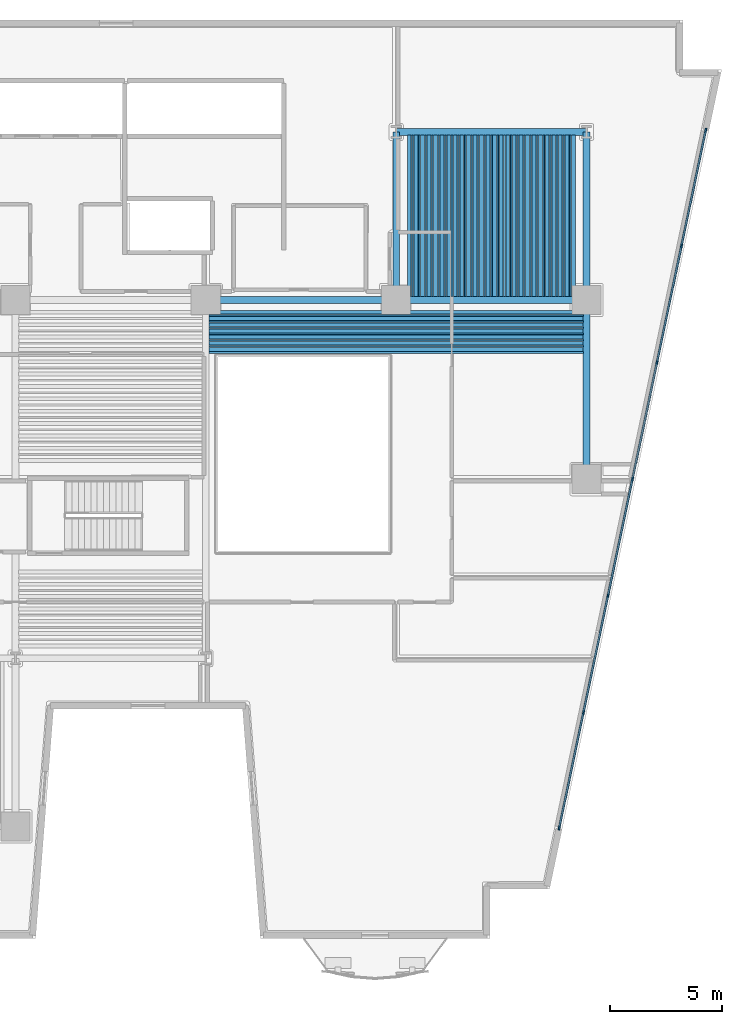
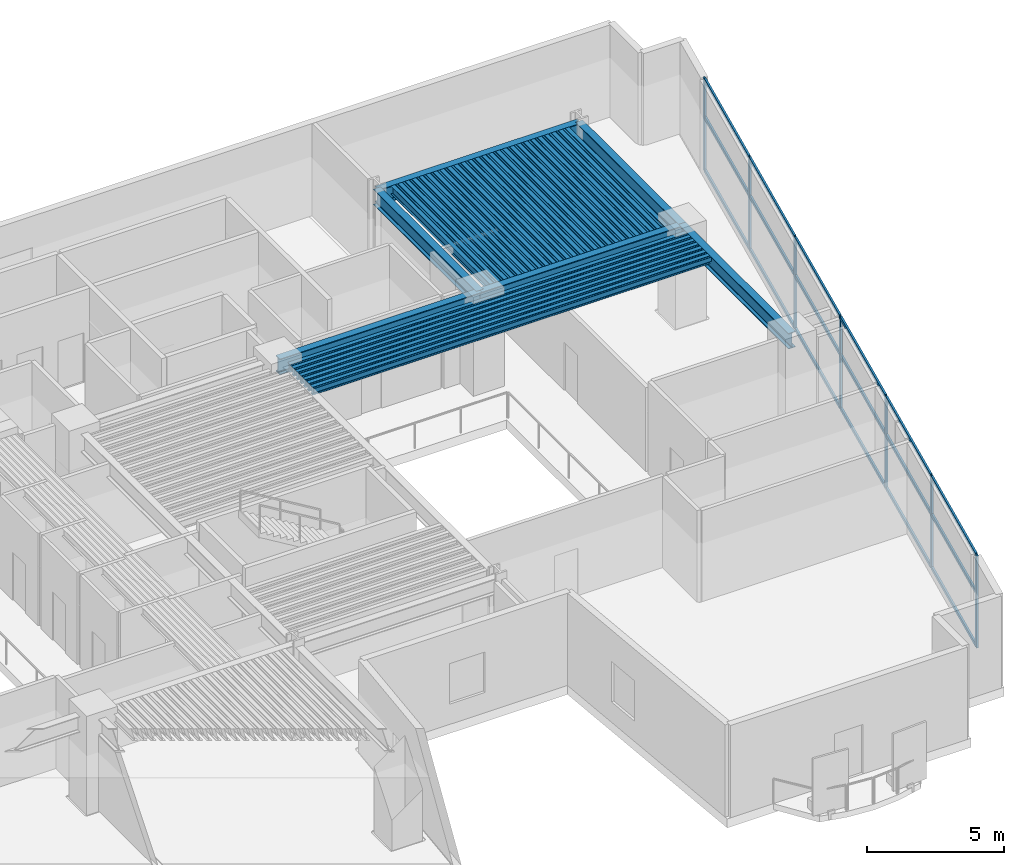
# One storey, part 2 of 12: 71 beams, 25 members, 1 element without a shape of its own.
"""IFC4 building model written with IfcOpenShell, lengths in metres."""

from ifc_helpers import new_model, si_unit, direction, frame, origin, origin_2d, place, context, subcontext, project, spatial, rectangle, hollow_rectangle, i_section, extrude, material, layer, layer_set, material_profile, profile_set, type_object, element, aggregate, save


model = new_model("IFC4")

# Units and contexts
model_context = context("Model", 3, precision=1e-05, world=origin(), true_north=direction((0.0, 1.0)))
body_context = subcontext(model_context, "Body", "Model", "MODEL_VIEW")
ifc_project = project(units=[si_unit("LENGTHUNIT", "METRE"), si_unit("AREAUNIT", "SQUARE_METRE"), si_unit("VOLUMEUNIT", "CUBIC_METRE"), si_unit("PLANEANGLEUNIT", "RADIAN"), si_unit("MASSUNIT", "GRAM", prefix="KILO")], contexts=[model_context])

# Site, building, storey
site_placement = place(None, origin())
site = spatial("IfcSite", under=ifc_project, at=site_placement, CompositionType="ELEMENT")
building_placement = place(site_placement, origin())
building = spatial("IfcBuilding", under=site, at=building_placement, Name="Caeloran Harvest Quay", CompositionType="ELEMENT")
storey_placement = place(building_placement, frame((0.0, 0.0, 27.0)))
storey = spatial("IfcBuildingStorey", under=building, at=storey_placement, Name="L06", CompositionType="ELEMENT", Elevation=27.0)

# Beams
ifc_material_1 = material(Name="Steel S355J2", Category="steel")
ifc_material_profile_1 = material_profile(ifc_material_1, i_section(OverallWidth=0.300048828125, OverallDepth=0.699951171875, WebThickness=0.01708984375, FlangeThickness=0.031982421875, FilletRadius=0.027099609375, at=origin_2d()), Name="HE 700 B")
ifc_profile_set_1 = profile_set([ifc_material_profile_1], Name="Steel S355J2")
beam_type_1 = type_object("IfcBeamType", Name="BM-PG-2-HE_700_B", PredefinedType="BEAM", material=ifc_profile_set_1)
for number, where, z_axis, x_axis, name in (
    (1, (34.0, 31.0, 3.75), (1.0, 0.0, 0.0), (0.0, 1.0, 0.0), "L06 Primary East-West Girder Y=31.0"),
    (2, (42.5, 31.0, 3.75), (1.0, 0.0, 0.0), (0.0, 1.0, 0.0), "L06 Primary East-West Girder Y=31.0"),
    (3, (42.5, 38.5, 3.75), (1.0, 0.0, 0.0), (0.0, 1.0, 0.0), "L06 Primary East-West Girder Y=38.5"),
):
    element("IfcBeam", number, at=place(storey_placement, frame(where, z_axis=z_axis, x_axis=x_axis)), inside=storey, type_object=beam_type_1, Name=name, PredefinedType="BEAM", context=body_context, shape_type="SweptSolid", body=[
        extrude(i_section(OverallWidth=0.300048828125, OverallDepth=0.699951171875, WebThickness=0.01708984375, FlangeThickness=0.031982421875, FilletRadius=0.027099609375, at=origin_2d()), origin(), (0.0, 0.0, 1.0), 8.5),
    ])
beam_1_placement = place(storey_placement, frame((42.5, 31.0, 3.75), z_axis=(0.0, 1.0, 0.0), x_axis=(-1.0, 0.0, 0.0)))
element("IfcBeam", 4, at=beam_1_placement, inside=storey, type_object=beam_type_1, Name="L06 Primary North-South Girder X=42.5", PredefinedType="BEAM", context=body_context, shape_type="SweptSolid", body=[
    extrude(i_section(OverallWidth=0.300048828125, OverallDepth=0.699951171875, WebThickness=0.01708984375, FlangeThickness=0.031982421875, FilletRadius=0.027099609375, at=origin_2d()), origin(), (0.0, 0.0, 1.0), 7.5),
])
beam_2_placement = place(storey_placement, frame((51.0, 23.0, 3.75), z_axis=(0.0, 1.0, 0.0), x_axis=(-1.0, 0.0, 0.0)))
element("IfcBeam", 5, at=beam_2_placement, inside=storey, type_object=beam_type_1, Name="L06 Primary North-South Girder X=51.0", PredefinedType="BEAM", context=body_context, shape_type="SweptSolid", body=[
    extrude(i_section(OverallWidth=0.300048828125, OverallDepth=0.699951171875, WebThickness=0.01708984375, FlangeThickness=0.031982421875, FilletRadius=0.027099609375, at=origin_2d()), origin(), (0.0, 0.0, 1.0), 8.0),
])
beam_3_placement = place(storey_placement, frame((51.0, 31.0, 3.75), z_axis=(0.0, 1.0, 0.0), x_axis=(-1.0, 0.0, 0.0)))
element("IfcBeam", 6, at=beam_3_placement, inside=storey, type_object=beam_type_1, Name="L06 Primary North-South Girder X=51.0", PredefinedType="BEAM", context=body_context, shape_type="SweptSolid", body=[
    extrude(i_section(OverallWidth=0.300048828125, OverallDepth=0.699951171875, WebThickness=0.01708984375, FlangeThickness=0.031982421875, FilletRadius=0.027099609375, at=origin_2d()), origin(), (0.0, 0.0, 1.0), 7.5),
])
ifc_material_profile_2 = material_profile(ifc_material_1, i_section(OverallWidth=0.169921875, OverallDepth=0.360107421875, WebThickness=0.008056640625, FlangeThickness=0.0126953125, FilletRadius=0.01806640625, at=origin_2d()), Name="IPE 360")
ifc_profile_set_2 = profile_set([ifc_material_profile_2], Name="Steel S355J2")
beam_type_2 = type_object("IfcBeamType", Name="BM-SB-5-IPE_360", PredefinedType="JOIST", material=ifc_profile_set_2)
for number, where, z_axis, x_axis, name in (
    (7, (43.086181640625, 31.14501953125, 3.919921875), (0.0, 1.0, 0.0), (-1.0, 0.0, 0.0), "L06 Secondary Composite Joist"),
    (8, (43.37939453125, 31.14501953125, 3.919921875), (0.0, 1.0, 0.0), (-1.0, 0.0, 0.0), "L06 Secondary Composite Joist"),
    (9, (43.67236328125, 31.14501953125, 3.919921875), (0.0, 1.0, 0.0), (-1.0, 0.0, 0.0), "L06 Secondary Composite Joist"),
    (10, (43.965576171875, 31.14501953125, 3.919921875), (0.0, 1.0, 0.0), (-1.0, 0.0, 0.0), "L06 Secondary Composite Joist"),
    (11, (44.258544921875, 31.14501953125, 3.919921875), (0.0, 1.0, 0.0), (-1.0, 0.0, 0.0), "L06 Secondary Composite Joist"),
    (12, (44.5517578125, 31.14501953125, 3.919921875), (0.0, 1.0, 0.0), (-1.0, 0.0, 0.0), "L06 Secondary Composite Joist"),
    (13, (44.8447265625, 31.14501953125, 3.919921875), (0.0, 1.0, 0.0), (-1.0, 0.0, 0.0), "L06 Secondary Composite Joist"),
    (14, (45.137939453125, 31.14501953125, 3.919921875), (0.0, 1.0, 0.0), (-1.0, 0.0, 0.0), "L06 Secondary Composite Joist"),
    (15, (45.430908203125, 31.14501953125, 3.919921875), (0.0, 1.0, 0.0), (-1.0, 0.0, 0.0), "L06 Secondary Composite Joist"),
    (16, (45.72412109375, 31.14501953125, 3.919921875), (0.0, 1.0, 0.0), (-1.0, 0.0, 0.0), "L06 Secondary Composite Joist"),
    (17, (46.01708984375, 31.14501953125, 3.919921875), (0.0, 1.0, 0.0), (-1.0, 0.0, 0.0), "L06 Secondary Composite Joist"),
    (18, (46.310302734375, 31.14501953125, 3.919921875), (0.0, 1.0, 0.0), (-1.0, 0.0, 0.0), "L06 Secondary Composite Joist"),
    (19, (46.603515625, 31.14501953125, 3.919921875), (0.0, 1.0, 0.0), (-1.0, 0.0, 0.0), "L06 Secondary Composite Joist"),
    (20, (46.896484375, 31.14501953125, 3.919921875), (0.0, 1.0, 0.0), (-1.0, 0.0, 0.0), "L06 Secondary Composite Joist"),
    (21, (47.189697265625, 31.14501953125, 3.919921875), (0.0, 1.0, 0.0), (-1.0, 0.0, 0.0), "L06 Secondary Composite Joist"),
    (22, (47.48291015625, 31.14501953125, 3.919921875), (0.0, 1.0, 0.0), (-1.0, 0.0, 0.0), "L06 Secondary Composite Joist"),
    (23, (47.77587890625, 31.14501953125, 3.919921875), (0.0, 1.0, 0.0), (-1.0, 0.0, 0.0), "L06 Secondary Composite Joist"),
    (24, (48.069091796875, 31.14501953125, 3.919921875), (0.0, 1.0, 0.0), (-1.0, 0.0, 0.0), "L06 Secondary Composite Joist"),
    (25, (48.362060546875, 31.14501953125, 3.919921875), (0.0, 1.0, 0.0), (-1.0, 0.0, 0.0), "L06 Secondary Composite Joist"),
    (26, (48.6552734375, 31.14501953125, 3.919921875), (0.0, 1.0, 0.0), (-1.0, 0.0, 0.0), "L06 Secondary Composite Joist"),
    (27, (48.9482421875, 31.14501953125, 3.919921875), (0.0, 1.0, 0.0), (-1.0, 0.0, 0.0), "L06 Secondary Composite Joist"),
    (28, (49.241455078125, 31.14501953125, 3.919921875), (0.0, 1.0, 0.0), (-1.0, 0.0, 0.0), "L06 Secondary Composite Joist"),
    (29, (49.534423828125, 31.14501953125, 3.919921875), (0.0, 1.0, 0.0), (-1.0, 0.0, 0.0), "L06 Secondary Composite Joist"),
    (30, (49.82763671875, 31.14501953125, 3.919921875), (0.0, 1.0, 0.0), (-1.0, 0.0, 0.0), "L06 Secondary Composite Joist"),
    (31, (50.12060546875, 31.14501953125, 3.919921875), (0.0, 1.0, 0.0), (-1.0, 0.0, 0.0), "L06 Secondary Composite Joist"),
    (32, (50.413818359375, 31.14501953125, 3.919921875), (0.0, 1.0, 0.0), (-1.0, 0.0, 0.0), "L06 Secondary Composite Joist"),
):
    element("IfcBeam", number, at=place(storey_placement, frame(where, z_axis=z_axis, x_axis=x_axis)), inside=storey, type_object=beam_type_2, Name=name, PredefinedType="JOIST", context=body_context, shape_type="SweptSolid", body=[
        extrude(i_section(OverallWidth=0.169921875, OverallDepth=0.360107421875, WebThickness=0.008056640625, FlangeThickness=0.0126953125, FilletRadius=0.01806640625, at=origin_2d()), origin(), (0.0, 0.0, 1.0), 7.2099609375),
    ])
for number, where, z_axis, x_axis, name in (
    (33, (34.14501953125, 28.793212890625, 3.919921875), (1.0, 0.0, 0.0), (0.0, 1.0, 0.0), "L06 Secondary East-West Composite Joist"),
    (34, (34.14501953125, 29.069091796875, 3.919921875), (1.0, 0.0, 0.0), (0.0, 1.0, 0.0), "L06 Secondary East-West Composite Joist"),
    (35, (34.14501953125, 29.3447265625, 3.919921875), (1.0, 0.0, 0.0), (0.0, 1.0, 0.0), "L06 Secondary East-West Composite Joist"),
    (36, (34.14501953125, 29.62060546875, 3.919921875), (1.0, 0.0, 0.0), (0.0, 1.0, 0.0), "L06 Secondary East-West Composite Joist"),
    (37, (34.14501953125, 29.896484375, 3.919921875), (1.0, 0.0, 0.0), (0.0, 1.0, 0.0), "L06 Secondary East-West Composite Joist"),
    (38, (34.14501953125, 30.17236328125, 3.919921875), (1.0, 0.0, 0.0), (0.0, 1.0, 0.0), "L06 Secondary East-West Composite Joist"),
    (39, (34.14501953125, 30.4482421875, 3.919921875), (1.0, 0.0, 0.0), (0.0, 1.0, 0.0), "L06 Secondary East-West Composite Joist"),
):
    element("IfcBeam", number, at=place(storey_placement, frame(where, z_axis=z_axis, x_axis=x_axis)), inside=storey, type_object=beam_type_2, Name=name, PredefinedType="JOIST", context=body_context, shape_type="SweptSolid", body=[
        extrude(i_section(OverallWidth=0.169921875, OverallDepth=0.360107421875, WebThickness=0.008056640625, FlangeThickness=0.0126953125, FilletRadius=0.01806640625, at=origin_2d()), origin(), (0.0, 0.0, 1.0), 16.7099609375),
    ])
ifc_material_profile_3 = material_profile(ifc_material_1, hollow_rectangle(XDim=0.080078125, YDim=0.199951171875, WallThickness=0.006103515625, InnerFilletRadius=0.006103515625, OuterFilletRadius=0.009033203125, at=origin_2d()), Name="RHS 200x80x6")
ifc_profile_set_3 = profile_set([ifc_material_profile_3], Name="Steel S355J2")
beam_type_3 = type_object("IfcBeamType", Name="BM-SB-7-RHS_200x80x6", PredefinedType="JOIST", material=ifc_profile_set_3)
for number, where, z_axis, x_axis, name in (
    (40, (43.23291015625, 31.14501953125, 4.0), (0.0, 1.0, 0.0), (-1.0, 0.0, 0.0), "L06 Secondary Composite Joist"),
    (41, (43.52587890625, 31.14501953125, 4.0), (0.0, 1.0, 0.0), (-1.0, 0.0, 0.0), "L06 Secondary Composite Joist"),
    (42, (43.819091796875, 31.14501953125, 4.0), (0.0, 1.0, 0.0), (-1.0, 0.0, 0.0), "L06 Secondary Composite Joist"),
    (43, (44.112060546875, 31.14501953125, 4.0), (0.0, 1.0, 0.0), (-1.0, 0.0, 0.0), "L06 Secondary Composite Joist"),
    (44, (44.4052734375, 31.14501953125, 4.0), (0.0, 1.0, 0.0), (-1.0, 0.0, 0.0), "L06 Secondary Composite Joist"),
    (45, (44.6982421875, 31.14501953125, 4.0), (0.0, 1.0, 0.0), (-1.0, 0.0, 0.0), "L06 Secondary Composite Joist"),
    (46, (44.991455078125, 31.14501953125, 4.0), (0.0, 1.0, 0.0), (-1.0, 0.0, 0.0), "L06 Secondary Composite Joist"),
    (47, (45.284423828125, 31.14501953125, 4.0), (0.0, 1.0, 0.0), (-1.0, 0.0, 0.0), "L06 Secondary Composite Joist"),
    (48, (45.57763671875, 31.14501953125, 4.0), (0.0, 1.0, 0.0), (-1.0, 0.0, 0.0), "L06 Secondary Composite Joist"),
    (49, (45.87060546875, 31.14501953125, 4.0), (0.0, 1.0, 0.0), (-1.0, 0.0, 0.0), "L06 Secondary Composite Joist"),
    (50, (46.163818359375, 31.14501953125, 4.0), (0.0, 1.0, 0.0), (-1.0, 0.0, 0.0), "L06 Secondary Composite Joist"),
    (51, (46.456787109375, 31.14501953125, 4.0), (0.0, 1.0, 0.0), (-1.0, 0.0, 0.0), "L06 Secondary Composite Joist"),
    (52, (46.75, 31.14501953125, 4.0), (0.0, 1.0, 0.0), (-1.0, 0.0, 0.0), "L06 Secondary Composite Joist"),
    (53, (47.043212890625, 31.14501953125, 4.0), (0.0, 1.0, 0.0), (-1.0, 0.0, 0.0), "L06 Secondary Composite Joist"),
    (54, (47.336181640625, 31.14501953125, 4.0), (0.0, 1.0, 0.0), (-1.0, 0.0, 0.0), "L06 Secondary Composite Joist"),
    (55, (47.62939453125, 31.14501953125, 4.0), (0.0, 1.0, 0.0), (-1.0, 0.0, 0.0), "L06 Secondary Composite Joist"),
    (56, (47.92236328125, 31.14501953125, 4.0), (0.0, 1.0, 0.0), (-1.0, 0.0, 0.0), "L06 Secondary Composite Joist"),
    (57, (48.215576171875, 31.14501953125, 4.0), (0.0, 1.0, 0.0), (-1.0, 0.0, 0.0), "L06 Secondary Composite Joist"),
    (58, (48.508544921875, 31.14501953125, 4.0), (0.0, 1.0, 0.0), (-1.0, 0.0, 0.0), "L06 Secondary Composite Joist"),
    (59, (48.8017578125, 31.14501953125, 4.0), (0.0, 1.0, 0.0), (-1.0, 0.0, 0.0), "L06 Secondary Composite Joist"),
    (60, (49.0947265625, 31.14501953125, 4.0), (0.0, 1.0, 0.0), (-1.0, 0.0, 0.0), "L06 Secondary Composite Joist"),
    (61, (49.387939453125, 31.14501953125, 4.0), (0.0, 1.0, 0.0), (-1.0, 0.0, 0.0), "L06 Secondary Composite Joist"),
    (62, (49.680908203125, 31.14501953125, 4.0), (0.0, 1.0, 0.0), (-1.0, 0.0, 0.0), "L06 Secondary Composite Joist"),
    (63, (49.97412109375, 31.14501953125, 4.0), (0.0, 1.0, 0.0), (-1.0, 0.0, 0.0), "L06 Secondary Composite Joist"),
    (64, (50.26708984375, 31.14501953125, 4.0), (0.0, 1.0, 0.0), (-1.0, 0.0, 0.0), "L06 Secondary Composite Joist"),
):
    element("IfcBeam", number, at=place(storey_placement, frame(where, z_axis=z_axis, x_axis=x_axis)), inside=storey, type_object=beam_type_3, Name=name, PredefinedType="JOIST", context=body_context, shape_type="SweptSolid", body=[
        extrude(hollow_rectangle(XDim=0.080078125, YDim=0.199951171875, WallThickness=0.006103515625, InnerFilletRadius=0.006103515625, OuterFilletRadius=0.009033203125, at=origin_2d()), origin(), (0.0, 0.0, 1.0), 7.2099609375),
    ])
for number, where, z_axis, x_axis, name in (
    (65, (34.14501953125, 28.6552734375, 4.0), (1.0, 0.0, 0.0), (0.0, 1.0, 0.0), "L06 Secondary East-West Composite Joist"),
    (66, (34.14501953125, 28.930908203125, 4.0), (1.0, 0.0, 0.0), (0.0, 1.0, 0.0), "L06 Secondary East-West Composite Joist"),
    (67, (34.14501953125, 29.206787109375, 4.0), (1.0, 0.0, 0.0), (0.0, 1.0, 0.0), "L06 Secondary East-West Composite Joist"),
    (68, (34.14501953125, 29.48291015625, 4.0), (1.0, 0.0, 0.0), (0.0, 1.0, 0.0), "L06 Secondary East-West Composite Joist"),
    (69, (34.14501953125, 29.758544921875, 4.0), (1.0, 0.0, 0.0), (0.0, 1.0, 0.0), "L06 Secondary East-West Composite Joist"),
    (70, (34.14501953125, 30.034423828125, 4.0), (1.0, 0.0, 0.0), (0.0, 1.0, 0.0), "L06 Secondary East-West Composite Joist"),
    (71, (34.14501953125, 30.310302734375, 4.0), (1.0, 0.0, 0.0), (0.0, 1.0, 0.0), "L06 Secondary East-West Composite Joist"),
):
    element("IfcBeam", number, at=place(storey_placement, frame(where, z_axis=z_axis, x_axis=x_axis)), inside=storey, type_object=beam_type_3, Name=name, PredefinedType="JOIST", context=body_context, shape_type="SweptSolid", body=[
        extrude(hollow_rectangle(XDim=0.080078125, YDim=0.199951171875, WallThickness=0.006103515625, InnerFilletRadius=0.006103515625, OuterFilletRadius=0.009033203125, at=origin_2d()), origin(), (0.0, 0.0, 1.0), 16.7099609375),
    ])

# Curtain wall, members
ifc_material_2 = material(Name="Aluminium 6063-T6 and Low-E Glazing", Category="aluminium")
ifc_layer = layer(ifc_material_2, 0.199951171875, Name="Aluminium 6063-T6 and Low-E Glazing")
ifc_layer_set = layer_set([ifc_layer], Name="Aluminium 6063-T6 and Low-E Glazing")
curtain_wall_type = type_object("IfcCurtainWallType", Name="CW-SYS-CW-2", PredefinedType="USERDEFINED", material=ifc_layer_set)
curtain_wall_placement = place(storey_placement, origin())
curtain_wall = element("IfcCurtainWall", 72, at=curtain_wall_placement, inside=storey, type_object=curtain_wall_type, Name="L06 Unitised Curtain Wall CW-2 Run 9", ObjectType="CURTAIN_WALL", PredefinedType="USERDEFINED")
ifc_material_3 = material(Name="Aluminium 6063-T6", Category="aluminium")
ifc_material_profile_4 = material_profile(ifc_material_3, rectangle(XDim=0.080078125, YDim=0.179931640625, at=origin_2d()), Name="CW-MULLION-180")
ifc_profile_set_4 = profile_set([ifc_material_profile_4], Name="Aluminium 6063-T6")
member_type_1 = type_object("IfcMemberType", Name="CW-MULLION-180", PredefinedType="MULLION", material=ifc_profile_set_4)
member_1_placement = place(storey_placement, frame((56.322509765625, 38.576416015625, 0.0), z_axis=(0.0, 0.0, 1.0), x_axis=(0.978639691881, -0.205582960081, 0.0)))
member_1 = element("IfcMember", 73, at=member_1_placement, type_object=member_type_1, Name="CW-2 mullion 1", PredefinedType="MULLION", context=body_context, shape_type="SweptSolid", body=[
    extrude(rectangle(XDim=0.080078125, YDim=0.179931640625, at=origin_2d()), origin(), (0.0, 0.0, 1.0), 4.10009765625),
])
member_2_placement = place(storey_placement, frame((55.2373046875, 33.410400390625, 0.0), z_axis=(0.0, 0.0, 1.0), x_axis=(0.978639691881, -0.205582960081, 0.0)))
member_2 = element("IfcMember", 74, at=member_2_placement, type_object=member_type_1, Name="CW-2 mullion 2", PredefinedType="MULLION", context=body_context, shape_type="SweptSolid", body=[
    extrude(rectangle(XDim=0.080078125, YDim=0.179931640625, at=origin_2d()), origin(), (0.0, 0.0, 1.0), 4.10009765625),
])
member_3_placement = place(storey_placement, frame((54.143798828125, 28.205078125, 0.0), z_axis=(0.0, 0.0, 1.0), x_axis=(0.978639691881, -0.205582960081, 0.0)))
member_3 = element("IfcMember", 75, at=member_3_placement, type_object=member_type_1, Name="CW-2 mullion 3", PredefinedType="MULLION", context=body_context, shape_type="SweptSolid", body=[
    extrude(rectangle(XDim=0.080078125, YDim=0.179931640625, at=origin_2d()), origin(), (0.0, 0.0, 1.0), 4.10009765625),
])
member_4_placement = place(storey_placement, frame((53.050537109375, 23.0, 0.0), z_axis=(0.0, 0.0, 1.0), x_axis=(0.978639691881, -0.205582960081, 0.0)))
member_4 = element("IfcMember", 76, at=member_4_placement, type_object=member_type_1, Name="CW-2 mullion 4", PredefinedType="MULLION", context=body_context, shape_type="SweptSolid", body=[
    extrude(rectangle(XDim=0.080078125, YDim=0.179931640625, at=origin_2d()), origin(), (0.0, 0.0, 1.0), 4.10009765625),
])
member_5_placement = place(storey_placement, frame((51.95703125, 17.794921875, 0.0), z_axis=(0.0, 0.0, 1.0), x_axis=(0.978639691881, -0.205582960081, 0.0)))
member_5 = element("IfcMember", 77, at=member_5_placement, type_object=member_type_1, Name="CW-2 mullion 5", PredefinedType="MULLION", context=body_context, shape_type="SweptSolid", body=[
    extrude(rectangle(XDim=0.080078125, YDim=0.179931640625, at=origin_2d()), origin(), (0.0, 0.0, 1.0), 4.10009765625),
])
member_6_placement = place(storey_placement, frame((50.863525390625, 12.589599609375, 0.0), z_axis=(0.0, 0.0, 1.0), x_axis=(0.978639691881, -0.205582960081, 0.0)))
member_6 = element("IfcMember", 78, at=member_6_placement, type_object=member_type_1, Name="CW-2 mullion 6", PredefinedType="MULLION", context=body_context, shape_type="SweptSolid", body=[
    extrude(rectangle(XDim=0.080078125, YDim=0.179931640625, at=origin_2d()), origin(), (0.0, 0.0, 1.0), 4.10009765625),
])
member_7_placement = place(storey_placement, frame((49.7783203125, 7.423583984375, 0.0), z_axis=(0.0, 0.0, 1.0), x_axis=(0.978639691881, -0.205582960081, 0.0)))
member_7 = element("IfcMember", 79, at=member_7_placement, type_object=member_type_1, Name="CW-2 mullion 7", PredefinedType="MULLION", context=body_context, shape_type="SweptSolid", body=[
    extrude(rectangle(XDim=0.080078125, YDim=0.179931640625, at=origin_2d()), origin(), (0.0, 0.0, 1.0), 4.10009765625),
])
ifc_material_profile_5 = material_profile(ifc_material_3, rectangle(XDim=0.080078125, YDim=0.14990234375, at=origin_2d()), Name="CW-TRANSOM-150")
ifc_profile_set_5 = profile_set([ifc_material_profile_5], Name="Aluminium 6063-T6")
member_type_2 = type_object("IfcMemberType", Name="CW-TRANSOM-150", PredefinedType="USERDEFINED", material=ifc_profile_set_5)
member_8_placement = place(storey_placement, frame((56.314453125, 38.537109375, 0.0400390625), z_axis=(-0.205598644178, -0.978636396989, 0.0), x_axis=(0.978636396989, -0.205598644178, 0.0)))
member_8 = element("IfcMember", 80, at=member_8_placement, type_object=member_type_2, Name="CW-2 transom 1.1", ObjectType="TRANSOM", PredefinedType="USERDEFINED", context=body_context, shape_type="SweptSolid", body=[
    extrude(rectangle(XDim=0.080078125, YDim=0.14990234375, at=origin_2d()), origin(), (0.0, 0.0, 1.0), 5.19873046875),
])
member_9_placement = place(storey_placement, frame((56.314453125, 38.537109375, 2.39990234375), z_axis=(-0.205598644178, -0.978636396989, 0.0), x_axis=(0.978636396989, -0.205598644178, 0.0)))
member_9 = element("IfcMember", 81, at=member_9_placement, type_object=member_type_2, Name="CW-2 transom 1.2", ObjectType="TRANSOM", PredefinedType="USERDEFINED", context=body_context, shape_type="SweptSolid", body=[
    extrude(rectangle(XDim=0.080078125, YDim=0.14990234375, at=origin_2d()), origin(), (0.0, 0.0, 1.0), 5.19873046875),
])
member_10_placement = place(storey_placement, frame((56.314453125, 38.537109375, 4.06005859375), z_axis=(-0.205598644178, -0.978636396989, 0.0), x_axis=(0.978636396989, -0.205598644178, 0.0)))
member_10 = element("IfcMember", 82, at=member_10_placement, type_object=member_type_2, Name="CW-2 transom 1.3", ObjectType="TRANSOM", PredefinedType="USERDEFINED", context=body_context, shape_type="SweptSolid", body=[
    extrude(rectangle(XDim=0.080078125, YDim=0.14990234375, at=origin_2d()), origin(), (0.0, 0.0, 1.0), 5.19873046875),
])
member_11_placement = place(storey_placement, frame((55.229248046875, 33.37109375, 0.0400390625), z_axis=(-0.205615877389, -0.97863277636, 0.0), x_axis=(0.97863277636, -0.205615877389, 0.0)))
member_11 = element("IfcMember", 83, at=member_11_placement, type_object=member_type_2, Name="CW-2 transom 2.1", ObjectType="TRANSOM", PredefinedType="USERDEFINED", context=body_context, shape_type="SweptSolid", body=[
    extrude(rectangle(XDim=0.080078125, YDim=0.14990234375, at=origin_2d()), origin(), (0.0, 0.0, 1.0), 5.238525390625),
])
member_12_placement = place(storey_placement, frame((55.229248046875, 33.37109375, 2.39990234375), z_axis=(-0.205615877389, -0.97863277636, 0.0), x_axis=(0.97863277636, -0.205615877389, 0.0)))
member_12 = element("IfcMember", 84, at=member_12_placement, type_object=member_type_2, Name="CW-2 transom 2.2", ObjectType="TRANSOM", PredefinedType="USERDEFINED", context=body_context, shape_type="SweptSolid", body=[
    extrude(rectangle(XDim=0.080078125, YDim=0.14990234375, at=origin_2d()), origin(), (0.0, 0.0, 1.0), 5.238525390625),
])
member_13_placement = place(storey_placement, frame((55.229248046875, 33.37109375, 4.06005859375), z_axis=(-0.205615877389, -0.97863277636, 0.0), x_axis=(0.97863277636, -0.205615877389, 0.0)))
member_13 = element("IfcMember", 85, at=member_13_placement, type_object=member_type_2, Name="CW-2 transom 2.3", ObjectType="TRANSOM", PredefinedType="USERDEFINED", context=body_context, shape_type="SweptSolid", body=[
    extrude(rectangle(XDim=0.080078125, YDim=0.14990234375, at=origin_2d()), origin(), (0.0, 0.0, 1.0), 5.238525390625),
])
member_14_placement = place(storey_placement, frame((54.1357421875, 28.166015625, 0.0400390625), z_axis=(-0.205606500081, -0.978634746534, 0.0), x_axis=(0.978634746534, -0.205606500081, 0.0)))
member_14 = element("IfcMember", 86, at=member_14_placement, type_object=member_type_2, Name="CW-2 transom 3.1", ObjectType="TRANSOM", PredefinedType="USERDEFINED", context=body_context, shape_type="SweptSolid", body=[
    extrude(rectangle(XDim=0.080078125, YDim=0.14990234375, at=origin_2d()), origin(), (0.0, 0.0, 1.0), 5.23876953125),
])
member_15_placement = place(storey_placement, frame((54.1357421875, 28.166015625, 2.39990234375), z_axis=(-0.205606500081, -0.978634746534, 0.0), x_axis=(0.978634746534, -0.205606500081, 0.0)))
member_15 = element("IfcMember", 87, at=member_15_placement, type_object=member_type_2, Name="CW-2 transom 3.2", ObjectType="TRANSOM", PredefinedType="USERDEFINED", context=body_context, shape_type="SweptSolid", body=[
    extrude(rectangle(XDim=0.080078125, YDim=0.14990234375, at=origin_2d()), origin(), (0.0, 0.0, 1.0), 5.23876953125),
])
member_16_placement = place(storey_placement, frame((54.1357421875, 28.166015625, 4.06005859375), z_axis=(-0.205606500081, -0.978634746534, 0.0), x_axis=(0.978634746534, -0.205606500081, 0.0)))
member_16 = element("IfcMember", 88, at=member_16_placement, type_object=member_type_2, Name="CW-2 transom 3.3", ObjectType="TRANSOM", PredefinedType="USERDEFINED", context=body_context, shape_type="SweptSolid", body=[
    extrude(rectangle(XDim=0.080078125, YDim=0.14990234375, at=origin_2d()), origin(), (0.0, 0.0, 1.0), 5.23876953125),
])
member_17_placement = place(storey_placement, frame((53.042236328125, 22.9609375, 0.0400390625), z_axis=(-0.205561867825, -0.978644122496, 0.0), x_axis=(0.978644122496, -0.205561867825, 0.0)))
member_17 = element("IfcMember", 89, at=member_17_placement, type_object=member_type_2, Name="CW-2 transom 4.1", ObjectType="TRANSOM", PredefinedType="USERDEFINED", context=body_context, shape_type="SweptSolid", body=[
    extrude(rectangle(XDim=0.080078125, YDim=0.14990234375, at=origin_2d()), origin(), (0.0, 0.0, 1.0), 5.23876953125),
])
member_18_placement = place(storey_placement, frame((53.042236328125, 22.9609375, 2.39990234375), z_axis=(-0.205561867825, -0.978644122496, 0.0), x_axis=(0.978644122496, -0.205561867825, 0.0)))
member_18 = element("IfcMember", 90, at=member_18_placement, type_object=member_type_2, Name="CW-2 transom 4.2", ObjectType="TRANSOM", PredefinedType="USERDEFINED", context=body_context, shape_type="SweptSolid", body=[
    extrude(rectangle(XDim=0.080078125, YDim=0.14990234375, at=origin_2d()), origin(), (0.0, 0.0, 1.0), 5.23876953125),
])
member_19_placement = place(storey_placement, frame((53.042236328125, 22.9609375, 4.06005859375), z_axis=(-0.205561867825, -0.978644122496, 0.0), x_axis=(0.978644122496, -0.205561867825, 0.0)))
member_19 = element("IfcMember", 91, at=member_19_placement, type_object=member_type_2, Name="CW-2 transom 4.3", ObjectType="TRANSOM", PredefinedType="USERDEFINED", context=body_context, shape_type="SweptSolid", body=[
    extrude(rectangle(XDim=0.080078125, YDim=0.14990234375, at=origin_2d()), origin(), (0.0, 0.0, 1.0), 5.23876953125),
])
member_20_placement = place(storey_placement, frame((51.94873046875, 17.755615234375, 0.0400390625), z_axis=(-0.205571243277, -0.978642153158, 0.0), x_axis=(0.978642153158, -0.205571243277, 0.0)))
member_20 = element("IfcMember", 92, at=member_20_placement, type_object=member_type_2, Name="CW-2 transom 5.1", ObjectType="TRANSOM", PredefinedType="USERDEFINED", context=body_context, shape_type="SweptSolid", body=[
    extrude(rectangle(XDim=0.080078125, YDim=0.14990234375, at=origin_2d()), origin(), (0.0, 0.0, 1.0), 5.238525390625),
])
member_21_placement = place(storey_placement, frame((51.94873046875, 17.755615234375, 2.39990234375), z_axis=(-0.205571243277, -0.978642153158, 0.0), x_axis=(0.978642153158, -0.205571243277, 0.0)))
member_21 = element("IfcMember", 93, at=member_21_placement, type_object=member_type_2, Name="CW-2 transom 5.2", ObjectType="TRANSOM", PredefinedType="USERDEFINED", context=body_context, shape_type="SweptSolid", body=[
    extrude(rectangle(XDim=0.080078125, YDim=0.14990234375, at=origin_2d()), origin(), (0.0, 0.0, 1.0), 5.238525390625),
])
member_22_placement = place(storey_placement, frame((51.94873046875, 17.755615234375, 4.06005859375), z_axis=(-0.205571243277, -0.978642153158, 0.0), x_axis=(0.978642153158, -0.205571243277, 0.0)))
member_22 = element("IfcMember", 94, at=member_22_placement, type_object=member_type_2, Name="CW-2 transom 5.3", ObjectType="TRANSOM", PredefinedType="USERDEFINED", context=body_context, shape_type="SweptSolid", body=[
    extrude(rectangle(XDim=0.080078125, YDim=0.14990234375, at=origin_2d()), origin(), (0.0, 0.0, 1.0), 5.238525390625),
])
member_23_placement = place(storey_placement, frame((50.855224609375, 12.550537109375, 0.0400390625), z_axis=(-0.205553666865, -0.978645845052, 0.0), x_axis=(0.978645845052, -0.205553666865, 0.0)))
member_23 = element("IfcMember", 95, at=member_23_placement, type_object=member_type_2, Name="CW-2 transom 6.1", ObjectType="TRANSOM", PredefinedType="USERDEFINED", context=body_context, shape_type="SweptSolid", body=[
    extrude(rectangle(XDim=0.080078125, YDim=0.14990234375, at=origin_2d()), origin(), (0.0, 0.0, 1.0), 5.19873046875),
])
member_24_placement = place(storey_placement, frame((50.855224609375, 12.550537109375, 2.39990234375), z_axis=(-0.205553666865, -0.978645845052, 0.0), x_axis=(0.978645845052, -0.205553666865, 0.0)))
member_24 = element("IfcMember", 96, at=member_24_placement, type_object=member_type_2, Name="CW-2 transom 6.2", ObjectType="TRANSOM", PredefinedType="USERDEFINED", context=body_context, shape_type="SweptSolid", body=[
    extrude(rectangle(XDim=0.080078125, YDim=0.14990234375, at=origin_2d()), origin(), (0.0, 0.0, 1.0), 5.19873046875),
])
member_25_placement = place(storey_placement, frame((50.855224609375, 12.550537109375, 4.06005859375), z_axis=(-0.205553666865, -0.978645845052, 0.0), x_axis=(0.978645845052, -0.205553666865, 0.0)))
member_25 = element("IfcMember", 97, at=member_25_placement, type_object=member_type_2, Name="CW-2 transom 6.3", ObjectType="TRANSOM", PredefinedType="USERDEFINED", context=body_context, shape_type="SweptSolid", body=[
    extrude(rectangle(XDim=0.080078125, YDim=0.14990234375, at=origin_2d()), origin(), (0.0, 0.0, 1.0), 5.19873046875),
])
aggregate(curtain_wall, [member_1, member_2, member_3, member_4, member_5, member_6, member_7, member_8, member_9, member_10, member_11, member_12, member_13, member_14, member_15, member_16, member_17, member_18, member_19, member_20, member_21, member_22, member_23, member_24, member_25])

save(model, "model.ifc")
